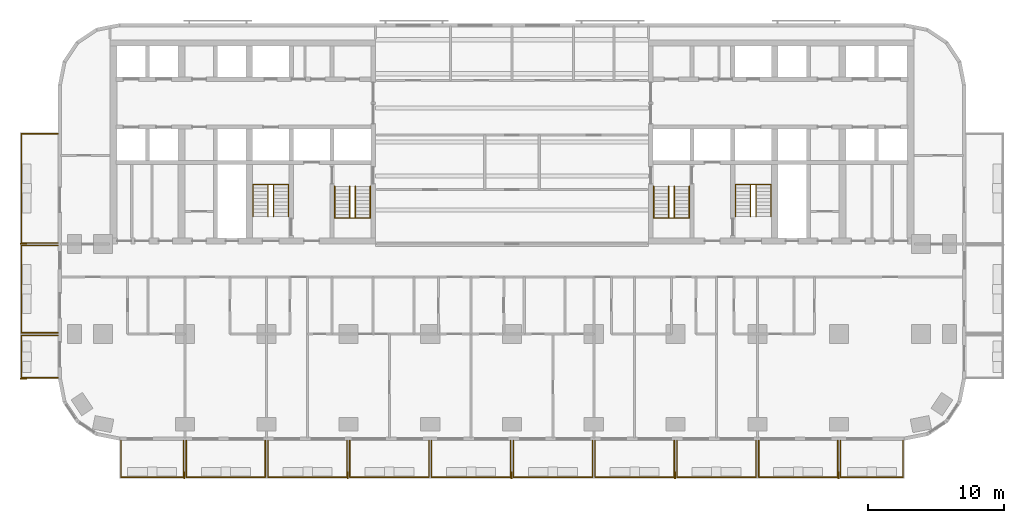
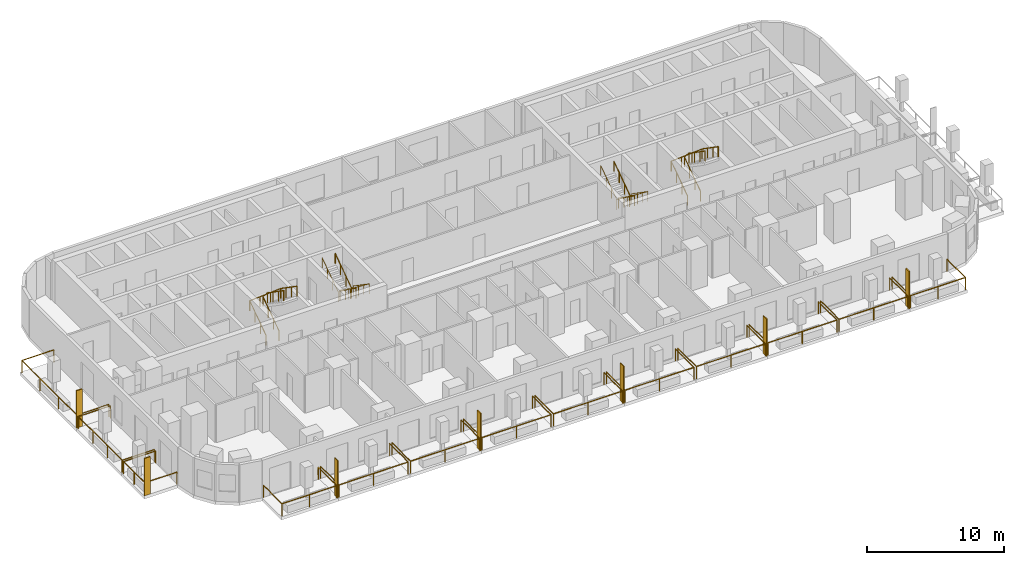
# One storey, part 12 of 14: 21 railings, 7 shading devices.
"""IFC4 building model written with IfcOpenShell, lengths in metres."""

import ifcopenshell
import ifcopenshell.guid

model = None  # the IFC model being written
_history = None  # IfcOwnerHistory: only IFC2X3 demands one
_inside = {}  # id of a spatial element -> (the spatial element, [elements in it])
_under = {}  # id of a project, library or spatial element -> (it, [spatial elements below it])
_declared = {}  # id of a project -> (the project, [libraries it declares])
_typed = {}  # id of a type object -> (the type object, [elements of that type])
_made_of = {}  # id of a material, layer set ... -> (it, [elements and type objects made of it])


def new_model(schema):
    """Start an empty IFC model of exactly this schema.

    Asked for "IFC4X3", IfcOpenShell would pick the latest addendum, in which some entities
    have other attributes; the version numbers below select the first issue.
    IFC2X3 requires an IfcOwnerHistory on every rooted entity: one is made here for all.
    """
    global model, _history
    if schema == "IFC4X3":
        model = ifcopenshell.file(schema_version=(4, 3, 0, 0))
    else:
        model = ifcopenshell.file(schema=schema)
    _inside.clear()
    _under.clear()
    _declared.clear()
    _typed.clear()
    _made_of.clear()
    _history = None
    if model.schema == "IFC2X3":
        org = make("IfcOrganization", Name="unknown")
        user = make(
            "IfcPersonAndOrganization",
            ThePerson=make("IfcPerson", FamilyName="unknown"),
            TheOrganization=org,
        )
        app = make(
            "IfcApplication",
            ApplicationDeveloper=org,
            Version="unknown",
            ApplicationFullName="unknown",
            ApplicationIdentifier="unknown",
        )
        _history = make(
            "IfcOwnerHistory",
            OwningUser=user,
            OwningApplication=app,
            ChangeAction="ADDED",
            CreationDate=0,
        )
    return model


def make(cls, **values):
    """One entity of the class cls with the attributes given. An attribute that is None is left unset."""
    return model.create_entity(
        cls, **{name: value for name, value in values.items() if value is not None}
    )


def rooted(cls, **values):
    """An entity with a GlobalId (a new one), such as an element, a storey or a relation."""
    return make(cls, GlobalId=ifcopenshell.guid.new(), OwnerHistory=_history, **values)


def si_unit(unit_type, name, prefix=None):
    """IfcSIUnit, for example si_unit("LENGTHUNIT", "METRE", prefix="MILLI")."""
    return make("IfcSIUnit", UnitType=unit_type, Prefix=prefix, Name=name)


def assignment(units):
    """IfcUnitAssignment: the units of a project."""
    return None if units is None else make("IfcUnitAssignment", Units=units)


def point(xyz):
    """IfcCartesianPoint."""
    return None if xyz is None else make("IfcCartesianPoint", Coordinates=xyz)


def direction(xyz):
    """IfcDirection."""
    return None if xyz is None else make("IfcDirection", DirectionRatios=xyz)


def frame(location, z_axis=None, x_axis=None):
    """IfcAxis2Placement3D, a coordinate frame: its origin and axes. An axis left out is left unset."""
    return make(
        "IfcAxis2Placement3D",
        Location=point(location),
        Axis=direction(z_axis),
        RefDirection=direction(x_axis),
    )


def frame_2d(location, x_axis=None):
    """IfcAxis2Placement2D, a coordinate frame in the plane: its origin and x axis."""
    return make(
        "IfcAxis2Placement2D", Location=point(location), RefDirection=direction(x_axis)
    )


def origin():
    """The frame at (0, 0, 0) with its axes left unset."""
    return frame((0.0, 0.0, 0.0))


def origin_2d():
    """The frame at (0, 0) in the plane with its x axis left unset."""
    return frame_2d((0.0, 0.0))


def place(relative_to, where):
    """IfcLocalPlacement: puts the frame where relative to a parent placement (None: the world)."""
    return make(
        "IfcLocalPlacement", PlacementRelTo=relative_to, RelativePlacement=where
    )


def context(
    kind, dimensions, precision=None, world=None, true_north=None, identifier=None
):
    """IfcGeometricRepresentationContext, for example the 3D "Model" context."""
    return make(
        "IfcGeometricRepresentationContext",
        ContextIdentifier=identifier,
        ContextType=kind,
        CoordinateSpaceDimension=dimensions,
        Precision=precision,
        WorldCoordinateSystem=world,
        TrueNorth=true_north,
    )


def subcontext(parent, identifier, kind, view, scale=None):
    """IfcGeometricRepresentationSubContext, for example "Body" below "Model"."""
    return make(
        "IfcGeometricRepresentationSubContext",
        ContextIdentifier=identifier,
        ContextType=kind,
        ParentContext=parent,
        TargetScale=scale,
        TargetView=view,
    )


def project(units=None, contexts=None):
    """IfcProject with its units and contexts."""
    return rooted(
        "IfcProject",
        Name="project",
        RepresentationContexts=contexts,
        UnitsInContext=assignment(units),
    )


def spatial(cls, under=None, at=None, **own):
    """A site, building, storey or space (cls), placed at a placement, below another one or the project."""
    s = rooted(cls, ObjectPlacement=at, **own)
    if under is not None:
        _under.setdefault(under.id(), (under, []))[1].append(s)
    return s


def profile(cls, at=None, kind="AREA", **sizes):
    """A parametric profile (cls). Its sizes go by their IFC names, for example OverallWidth=200.0."""
    return make(cls, ProfileType=kind, Position=at, **sizes)


def rectangle(**sizes):
    """IfcRectangleProfileDef."""
    return profile("IfcRectangleProfileDef", **sizes)


def circle(**sizes):
    """IfcCircleProfileDef."""
    return profile("IfcCircleProfileDef", **sizes)


def extrude(swept, where, along, depth):
    """IfcExtrudedAreaSolid: the profile swept, set in the frame where, extruded along a direction by depth."""
    return make(
        "IfcExtrudedAreaSolid",
        SweptArea=swept,
        Position=where,
        ExtrudedDirection=direction(along),
        Depth=depth,
    )


def shape(context_of_items, identifier, shape_type, items):
    """IfcShapeRepresentation: the items that make up one representation, for example the "Body"."""
    return make(
        "IfcShapeRepresentation",
        ContextOfItems=context_of_items,
        RepresentationIdentifier=identifier,
        RepresentationType=shape_type,
        Items=items,
    )


def material(Name=None, Category=None):
    """IfcMaterial."""
    return make("IfcMaterial", Name=Name, Category=Category)


def layer(
    of_material, thickness, ventilated=None, Name=None, Category=None, Priority=None
):
    """IfcMaterialLayer: one layer of a wall or slab, of a material (None: an air gap)."""
    return make(
        "IfcMaterialLayer",
        Material=of_material,
        LayerThickness=thickness,
        IsVentilated=ventilated,
        Name=Name,
        Category=Category,
        Priority=Priority,
    )


def layer_set(layers, Name=None):
    """IfcMaterialLayerSet."""
    return make("IfcMaterialLayerSet", MaterialLayers=layers, LayerSetName=Name)


def made_of(thing, what):
    """Note that an element or type object is made of a material, layer set ...; save() writes the relation."""
    if what is not None:
        _made_of.setdefault(what.id(), (what, []))[1].append(thing)
    return thing


def type_object(cls, material=None, **own):
    """A type object (cls), such as IfcWallType, which elements share."""
    return made_of(rooted(cls, **own), material)


def element(
    cls,
    number,
    at=None,
    inside=None,
    cuts=None,
    type_object=None,
    material=None,
    context=None,
    identifier="Body",
    shape_type=None,
    held_by="IfcProductDefinitionShape",
    body=None,
    shapes=None,
    **own,
):
    """One element of the class cls, such as IfcWall. Its Tag is "e" and its number.

    at: its placement. inside: the storey or other place that contains it. cuts: it is an
    opening in that element (IfcRelVoidsElement). A single representation is given by context,
    identifier, shape_type and body (its items); several are given by shapes. held_by: the class
    of the entity that holds the representations. save() writes the other relations.
    """
    e = rooted(cls, Tag="e%d" % number, ObjectPlacement=at, **own)
    if body is not None:
        shapes = [shape(context, identifier, shape_type, body)]
    if shapes is not None:
        e.Representation = make(held_by, Representations=shapes)
    if inside is not None:
        _inside.setdefault(inside.id(), (inside, []))[1].append(e)
    if cuts is not None:
        rooted(
            "IfcRelVoidsElement", RelatingBuildingElement=cuts, RelatedOpeningElement=e
        )
    if type_object is not None:
        _typed.setdefault(type_object.id(), (type_object, []))[1].append(e)
    return made_of(e, material)


def aggregate(whole, parts):
    """IfcRelAggregates: a whole, such as a stair, and the parts it consists of."""
    return rooted("IfcRelAggregates", RelatingObject=whole, RelatedObjects=parts)


def save(model, path):
    """Write the relations noted so far, then the file.

    IfcRelAggregates (storeys below a building ...), IfcRelContainedInSpatialStructure (elements
    in a storey), IfcRelDefinesByType, IfcRelAssociatesMaterial and IfcRelDeclares: one each for
    every whole, place, type object, material and project.
    """
    for whole, parts in _under.values():
        aggregate(whole, parts)
    for where, things in _inside.values():
        rooted(
            "IfcRelContainedInSpatialStructure",
            RelatedElements=things,
            RelatingStructure=where,
        )
    for kind, things in _typed.values():
        rooted("IfcRelDefinesByType", RelatedObjects=things, RelatingType=kind)
    for what, things in _made_of.values():
        rooted("IfcRelAssociatesMaterial", RelatedObjects=things, RelatingMaterial=what)
    for by, libraries in _declared.values():
        rooted("IfcRelDeclares", RelatingContext=by, RelatedDefinitions=libraries)
    model.write(path)


model = new_model("IFC4")

# Units and contexts
model_context = context("Model", 3, precision=1e-05, world=origin(), true_north=direction((0.0, 1.0)))
body_context = subcontext(model_context, "Body", "Model", "MODEL_VIEW")
ifc_project = project(units=[si_unit("LENGTHUNIT", "METRE"), si_unit("AREAUNIT", "SQUARE_METRE"), si_unit("VOLUMEUNIT", "CUBIC_METRE"), si_unit("PLANEANGLEUNIT", "RADIAN"), si_unit("MASSUNIT", "GRAM", prefix="KILO")], contexts=[model_context])

# Site, building, storey
site_placement = place(None, origin())
site = spatial("IfcSite", under=ifc_project, at=site_placement, CompositionType="ELEMENT")
building_placement = place(site_placement, origin())
building = spatial("IfcBuilding", under=site, at=building_placement, Name="Torana Hotel and Residences", CompositionType="ELEMENT")
storey_placement = place(building_placement, frame((0.0, 0.0, 85.199951171875)))
storey = spatial("IfcBuildingStorey", under=building, at=storey_placement, Name="L21", CompositionType="ELEMENT", Elevation=85.199951171875)

# Shading devices
ifc_material_1 = material(Name="Black powder coated aluminium", Category="aluminium")
ifc_layer = layer(ifc_material_1, 0.080078125)
ifc_layer_set = layer_set([ifc_layer], Name="FN1 VERTICAL FIN 500x80")
shading_device_type = type_object("IfcShadingDeviceType", Name="FN1 VERTICAL FIN 500x80", PredefinedType="USERDEFINED", material=ifc_layer_set)
for number, where, z_axis, x_axis, name in (
    (1, (-24.0400390625, -31.949951171875, 0.0), (0.0, 0.0, 1.0), (-1.0, 0.0, 0.0), "Fin 01"),
    (2, (-12.0400390625, -31.949951171875, 0.0), (0.0, 0.0, 1.0), (-1.0, 0.0, 0.0), "Fin 03"),
    (3, (-0.0400390625, -31.949951171875, 0.0), (0.0, 0.0, 1.0), (-1.0, 0.0, 0.0), "Fin 05"),
    (4, (11.9599609375, -31.949951171875, 0.0), (0.0, 0.0, 1.0), (-1.0, 0.0, 0.0), "Fin 07"),
    (5, (23.9599609375, -31.949951171875, 0.0), (0.0, 0.0, 1.0), (-1.0, 0.0, 0.0), "Fin 09"),
    (6, (-35.85009765625, -24.860107421875, 0.0), (0.0, 0.0, 1.0), (0.0, 1.0, 0.0), "Fin 11"),
    (7, (-35.85009765625, -14.9599609375, 0.0), (0.0, 0.0, 1.0), (0.0, 1.0, 0.0), "Fin 13"),
):
    element("IfcShadingDevice", number, at=place(storey_placement, frame(where, z_axis=z_axis, x_axis=x_axis)), inside=storey, type_object=shading_device_type, Name=name, ObjectType="FIN", PredefinedType="USERDEFINED", context=body_context, shape_type="SweptSolid", body=[
        extrude(rectangle(XDim=0.080078125, YDim=0.5, at=origin_2d()), origin(), (0.0, 0.0, 1.0), 3.320068359375),
    ])

# Railings
ifc_material_2 = material(Name="Laminated glass balustrade with black handrail", Category="glass")
railing_type_1 = type_object("IfcRailingType", Name="GR1 BALCONY GUARD 1100 GLASS", PredefinedType="GUARDRAIL", material=ifc_material_2)
railing_1_placement = place(storey_placement, frame((-24.10009765625, -29.39990234375, 0.0)))
element("IfcRailing", 8, at=railing_1_placement, inside=storey, type_object=railing_type_1, Name="Balcony guard 01", PredefinedType="GUARDRAIL", context=body_context, shape_type="SweptSolid", body=[
    extrude(circle(Radius=0.02392578125, at=origin_2d()), frame((0.0, 0.0, 1.076171875), z_axis=(0.0, -1.0, 0.0), x_axis=(1.0, 0.0, 0.0)), (0.0, 0.0, 1.0), 2.7001953125),
    extrude(circle(Radius=0.02392578125, at=origin_2d()), frame((0.0, -2.7001953125, 1.076171875), z_axis=(-1.0, 0.0, 0.0), x_axis=(0.0, -1.0, 0.0)), (0.0, 0.0, 1.0), 4.599853515625),
    extrude(circle(Radius=0.02392578125, at=origin_2d()), frame((-4.599853515625, -2.7001953125, 1.076171875), z_axis=(0.0, 1.0, 0.0), x_axis=(-1.0, 0.0, 0.0)), (0.0, 0.0, 1.0), 2.7001953125),
    extrude(circle(Radius=0.02099609375, at=origin_2d()), origin(), (0.0, 0.0, 1.0), 1.052001953125),
    extrude(circle(Radius=0.02099609375, at=origin_2d()), frame((0.0, -2.7001953125, 0.0)), (0.0, 0.0, 1.0), 1.052001953125),
    extrude(circle(Radius=0.02099609375, at=origin_2d()), frame((-2.2998046875, -2.7001953125, 0.0)), (0.0, 0.0, 1.0), 1.052001953125),
    extrude(circle(Radius=0.02099609375, at=origin_2d()), frame((-4.599853515625, -2.7001953125, 0.0)), (0.0, 0.0, 1.0), 1.052001953125),
    extrude(circle(Radius=0.02099609375, at=origin_2d()), frame((-4.599853515625, 0.0, 0.0)), (0.0, 0.0, 1.0), 1.052001953125),
])
for number, where, name in (
    (9, (-18.10009765625, -29.39990234375, 0.0), "Balcony guard 02"),
    (10, (-12.10009765625, -29.39990234375, 0.0), "Balcony guard 03"),
    (11, (-6.10009765625, -29.39990234375, 0.0), "Balcony guard 04"),
    (12, (-0.10009765625, -29.39990234375, 0.0), "Balcony guard 05"),
    (13, (5.89990234375, -29.39990234375, 0.0), "Balcony guard 06"),
    (14, (11.89990234375, -29.39990234375, 0.0), "Balcony guard 07"),
    (15, (17.89990234375, -29.39990234375, 0.0), "Balcony guard 08"),
    (16, (23.89990234375, -29.39990234375, 0.0), "Balcony guard 09"),
):
    element("IfcRailing", number, at=place(storey_placement, frame(where)), inside=storey, type_object=railing_type_1, Name=name, PredefinedType="GUARDRAIL", context=body_context, shape_type="SweptSolid", body=[
        extrude(circle(Radius=0.02392578125, at=origin_2d()), frame((0.0, 0.0, 1.076171875), z_axis=(0.0, -1.0, 0.0), x_axis=(1.0, 0.0, 0.0)), (0.0, 0.0, 1.0), 2.7001953125),
        extrude(circle(Radius=0.02392578125, at=origin_2d()), frame((0.0, -2.7001953125, 1.076171875), z_axis=(-1.0, 0.0, 0.0), x_axis=(0.0, -1.0, 0.0)), (0.0, 0.0, 1.0), 5.7998046875),
        extrude(circle(Radius=0.02392578125, at=origin_2d()), frame((-5.7998046875, -2.7001953125, 1.076171875), z_axis=(0.0, 1.0, 0.0), x_axis=(-1.0, 0.0, 0.0)), (0.0, 0.0, 1.0), 2.7001953125),
        extrude(circle(Radius=0.02099609375, at=origin_2d()), origin(), (0.0, 0.0, 1.0), 1.052001953125),
        extrude(circle(Radius=0.02099609375, at=origin_2d()), frame((0.0, -2.7001953125, 0.0)), (0.0, 0.0, 1.0), 1.052001953125),
        extrude(circle(Radius=0.02099609375, at=origin_2d()), frame((-2.89990234375, -2.7001953125, 0.0)), (0.0, 0.0, 1.0), 1.052001953125),
        extrude(circle(Radius=0.02099609375, at=origin_2d()), frame((-5.7998046875, -2.7001953125, 0.0)), (0.0, 0.0, 1.0), 1.052001953125),
        extrude(circle(Radius=0.02099609375, at=origin_2d()), frame((-5.7998046875, 0.0, 0.0)), (0.0, 0.0, 1.0), 1.052001953125),
    ])
railing_2_placement = place(storey_placement, frame((28.699951171875, -29.39990234375, 0.0)))
element("IfcRailing", 17, at=railing_2_placement, inside=storey, type_object=railing_type_1, Name="Balcony guard 10", PredefinedType="GUARDRAIL", context=body_context, shape_type="SweptSolid", body=[
    extrude(circle(Radius=0.02392578125, at=origin_2d()), frame((0.0, 0.0, 1.076171875), z_axis=(0.0, -1.0, 0.0), x_axis=(1.0, 0.0, 0.0)), (0.0, 0.0, 1.0), 2.7001953125),
    extrude(circle(Radius=0.02392578125, at=origin_2d()), frame((0.0, -2.7001953125, 1.076171875), z_axis=(-1.0, 0.0, 0.0), x_axis=(0.0, -1.0, 0.0)), (0.0, 0.0, 1.0), 4.599853515625),
    extrude(circle(Radius=0.02392578125, at=origin_2d()), frame((-4.599853515625, -2.7001953125, 1.076171875), z_axis=(0.0, 1.0, 0.0), x_axis=(-1.0, 0.0, 0.0)), (0.0, 0.0, 1.0), 2.7001953125),
    extrude(circle(Radius=0.02099609375, at=origin_2d()), origin(), (0.0, 0.0, 1.0), 1.052001953125),
    extrude(circle(Radius=0.02099609375, at=origin_2d()), frame((0.0, -2.7001953125, 0.0)), (0.0, 0.0, 1.0), 1.052001953125),
    extrude(circle(Radius=0.02099609375, at=origin_2d()), frame((-2.2998046875, -2.7001953125, 0.0)), (0.0, 0.0, 1.0), 1.052001953125),
    extrude(circle(Radius=0.02099609375, at=origin_2d()), frame((-4.599853515625, -2.7001953125, 0.0)), (0.0, 0.0, 1.0), 1.052001953125),
    extrude(circle(Radius=0.02099609375, at=origin_2d()), frame((-4.599853515625, 0.0, 0.0)), (0.0, 0.0, 1.0), 1.052001953125),
])
railing_3_placement = place(storey_placement, frame((-33.300048828125, -24.800048828125, 0.0)))
element("IfcRailing", 18, at=railing_3_placement, inside=storey, type_object=railing_type_1, Name="Balcony guard 11", PredefinedType="GUARDRAIL", context=body_context, shape_type="SweptSolid", body=[
    extrude(circle(Radius=0.02392578125, at=origin_2d()), frame((0.0, 0.0, 1.076171875), z_axis=(-1.0, 0.0, 0.0), x_axis=(0.0, -1.0, 0.0)), (0.0, 0.0, 1.0), 2.699951171875),
    extrude(circle(Radius=0.02392578125, at=origin_2d()), frame((-2.699951171875, 0.0, 1.076171875), z_axis=(0.0, 1.0, 0.0), x_axis=(-1.0, 0.0, 0.0)), (0.0, 0.0, 1.0), 3.10009765625),
    extrude(circle(Radius=0.02392578125, at=origin_2d()), frame((-2.699951171875, 3.10009765625, 1.076171875), z_axis=(1.0, 0.0, 0.0), x_axis=(0.0, 1.0, 0.0)), (0.0, 0.0, 1.0), 2.699951171875),
    extrude(circle(Radius=0.02099609375, at=origin_2d()), origin(), (0.0, 0.0, 1.0), 1.052001953125),
    extrude(circle(Radius=0.02099609375, at=origin_2d()), frame((-2.699951171875, 0.0, 0.0)), (0.0, 0.0, 1.0), 1.052001953125),
    extrude(circle(Radius=0.02099609375, at=origin_2d()), frame((-2.699951171875, 1.550048828125, 0.0)), (0.0, 0.0, 1.0), 1.052001953125),
    extrude(circle(Radius=0.02099609375, at=origin_2d()), frame((-2.699951171875, 3.10009765625, 0.0)), (0.0, 0.0, 1.0), 1.052001953125),
    extrude(circle(Radius=0.02099609375, at=origin_2d()), frame((0.0, 3.10009765625, 0.0)), (0.0, 0.0, 1.0), 1.052001953125),
])
railing_4_placement = place(storey_placement, frame((-33.300048828125, -21.5, 0.0)))
element("IfcRailing", 19, at=railing_4_placement, inside=storey, type_object=railing_type_1, Name="Balcony guard 12", PredefinedType="GUARDRAIL", context=body_context, shape_type="SweptSolid", body=[
    extrude(circle(Radius=0.02392578125, at=origin_2d()), frame((0.0, 0.0, 1.076171875), z_axis=(-1.0, 0.0, 0.0), x_axis=(0.0, -1.0, 0.0)), (0.0, 0.0, 1.0), 2.699951171875),
    extrude(circle(Radius=0.02392578125, at=origin_2d()), frame((-2.699951171875, 0.0, 1.076171875), z_axis=(0.0, 1.0, 0.0), x_axis=(-1.0, 0.0, 0.0)), (0.0, 0.0, 1.0), 6.39990234375),
    extrude(circle(Radius=0.02392578125, at=origin_2d()), frame((-2.699951171875, 6.39990234375, 1.076171875), z_axis=(1.0, 0.0, 0.0), x_axis=(0.0, 1.0, 0.0)), (0.0, 0.0, 1.0), 2.699951171875),
    extrude(circle(Radius=0.02099609375, at=origin_2d()), origin(), (0.0, 0.0, 1.0), 1.052001953125),
    extrude(circle(Radius=0.02099609375, at=origin_2d()), frame((-2.699951171875, 0.0, 0.0)), (0.0, 0.0, 1.0), 1.052001953125),
    extrude(circle(Radius=0.02099609375, at=origin_2d()), frame((-2.699951171875, 2.13330078125, 0.0)), (0.0, 0.0, 1.0), 1.052001953125),
    extrude(circle(Radius=0.02099609375, at=origin_2d()), frame((-2.699951171875, 4.2666015625, 0.0)), (0.0, 0.0, 1.0), 1.052001953125),
    extrude(circle(Radius=0.02099609375, at=origin_2d()), frame((-2.699951171875, 6.39990234375, 0.0)), (0.0, 0.0, 1.0), 1.052001953125),
    extrude(circle(Radius=0.02099609375, at=origin_2d()), frame((0.0, 6.39990234375, 0.0)), (0.0, 0.0, 1.0), 1.052001953125),
])
railing_5_placement = place(storey_placement, frame((-33.300048828125, -14.89990234375, 0.0)))
element("IfcRailing", 20, at=railing_5_placement, inside=storey, type_object=railing_type_1, Name="Balcony guard 13", PredefinedType="GUARDRAIL", context=body_context, shape_type="SweptSolid", body=[
    extrude(circle(Radius=0.02392578125, at=origin_2d()), frame((0.0, 0.0, 1.076171875), z_axis=(-1.0, 0.0, 0.0), x_axis=(0.0, -1.0, 0.0)), (0.0, 0.0, 1.0), 2.699951171875),
    extrude(circle(Radius=0.02392578125, at=origin_2d()), frame((-2.699951171875, 0.0, 1.076171875), z_axis=(0.0, 1.0, 0.0), x_axis=(-1.0, 0.0, 0.0)), (0.0, 0.0, 1.0), 8.0),
    extrude(circle(Radius=0.02392578125, at=origin_2d()), frame((-2.699951171875, 8.0, 1.076171875), z_axis=(1.0, 0.0, 0.0), x_axis=(0.0, 1.0, 0.0)), (0.0, 0.0, 1.0), 2.699951171875),
    extrude(circle(Radius=0.02099609375, at=origin_2d()), origin(), (0.0, 0.0, 1.0), 1.052001953125),
    extrude(circle(Radius=0.02099609375, at=origin_2d()), frame((-2.699951171875, 0.0, 0.0)), (0.0, 0.0, 1.0), 1.052001953125),
    extrude(circle(Radius=0.02099609375, at=origin_2d()), frame((-2.699951171875, 2.666748046875, 0.0)), (0.0, 0.0, 1.0), 1.052001953125),
    extrude(circle(Radius=0.02099609375, at=origin_2d()), frame((-2.699951171875, 5.333251953125, 0.0)), (0.0, 0.0, 1.0), 1.052001953125),
    extrude(circle(Radius=0.02099609375, at=origin_2d()), frame((-2.699951171875, 8.0, 0.0)), (0.0, 0.0, 1.0), 1.052001953125),
    extrude(circle(Radius=0.02099609375, at=origin_2d()), frame((0.0, 8.0, 0.0)), (0.0, 0.0, 1.0), 1.052001953125),
])
ifc_material_3 = material(Name="Stainless steel 316", Category="steel")
railing_type_2 = type_object("IfcRailingType", Name="STAIR HANDRAIL HR1 900", PredefinedType="HANDRAIL", material=ifc_material_3)
railing_6_placement = place(storey_placement, frame((-10.39990234375, -10.75, 0.179931640625)))
element("IfcRailing", 21, at=railing_6_placement, inside=storey, type_object=railing_type_2, Name="Handrail ST1 L21 O1", PredefinedType="HANDRAIL", context=body_context, shape_type="SweptSolid", body=[
    extrude(circle(Radius=0.02392578125, at=origin_2d()), frame((0.0, 0.0, 0.8759765625), z_axis=(0.0, -0.822182927502, 0.569223360136), x_axis=(1.0, 0.0, 0.0)), (0.0, 0.0, 1.0), 2.84619140625),
    extrude(circle(Radius=0.02392578125, at=origin_2d()), frame((0.0, -2.340087890625, 2.49609375), z_axis=(-0.997614115953, 0.0, 0.069036770278), x_axis=(0.0, -1.0, 0.0)), (0.0, 0.0, 1.0), 2.606201171875),
    extrude(circle(Radius=0.02392578125, at=origin_2d()), frame((-2.60009765625, -2.340087890625, 2.67578125), z_axis=(0.0, 0.822182927502, 0.569223360136), x_axis=(-1.0, 0.0, 0.0)), (0.0, 0.0, 1.0), 2.84619140625),
    extrude(circle(Radius=0.02099609375, at=origin_2d()), origin(), (0.0, 0.0, 1.0), 0.851806640625),
    extrude(circle(Radius=0.02099609375, at=origin_2d()), frame((0.0, -0.780029296875, 0.5400390625)), (0.0, 0.0, 1.0), 0.851806640625),
    extrude(circle(Radius=0.02099609375, at=origin_2d()), frame((0.0, -1.56005859375, 1.080078125)), (0.0, 0.0, 1.0), 0.851806640625),
    extrude(circle(Radius=0.02099609375, at=origin_2d()), frame((0.0, -2.340087890625, 1.6201171875)), (0.0, 0.0, 1.0), 0.851806640625),
    extrude(circle(Radius=0.02099609375, at=origin_2d()), frame((-0.86669921875, -2.340087890625, 1.68017578125)), (0.0, 0.0, 1.0), 0.851806640625),
    extrude(circle(Radius=0.02099609375, at=origin_2d()), frame((-1.7333984375, -2.340087890625, 1.739990234375)), (0.0, 0.0, 1.0), 0.851806640625),
    extrude(circle(Radius=0.02099609375, at=origin_2d()), frame((-2.60009765625, -2.340087890625, 1.800048828125)), (0.0, 0.0, 1.0), 0.851806640625),
    extrude(circle(Radius=0.02099609375, at=origin_2d()), frame((-2.60009765625, -1.56005859375, 2.340087890625)), (0.0, 0.0, 1.0), 0.851806640625),
    extrude(circle(Radius=0.02099609375, at=origin_2d()), frame((-2.60009765625, -0.780029296875, 2.880126953125)), (0.0, 0.0, 1.0), 0.851806640625),
    extrude(circle(Radius=0.02099609375, at=origin_2d()), frame((-2.60009765625, 0.0, 3.420166015625)), (0.0, 0.0, 1.0), 0.851806640625),
])
railing_7_placement = place(storey_placement, frame((-11.5, -10.75, 0.179931640625)))
element("IfcRailing", 22, at=railing_7_placement, inside=storey, type_object=railing_type_2, Name="Handrail ST1 L21 I1", PredefinedType="HANDRAIL", context=body_context, shape_type="SweptSolid", body=[
    extrude(circle(Radius=0.02392578125, at=origin_2d()), frame((0.0, 0.0, 0.8759765625), z_axis=(0.0, -0.822182927502, 0.569223360136), x_axis=(1.0, 0.0, 0.0)), (0.0, 0.0, 1.0), 2.84619140625),
    extrude(circle(Radius=0.02392578125, at=origin_2d()), frame((0.0, -2.340087890625, 2.49609375), z_axis=(-0.911942338396, 0.0, 0.410318378143), x_axis=(0.0, -1.0, 0.0)), (0.0, 0.0, 1.0), 0.4384765625),
    extrude(circle(Radius=0.02392578125, at=origin_2d()), frame((-0.39990234375, -2.340087890625, 2.67578125), z_axis=(0.0, 0.822182927502, 0.569223360136), x_axis=(-1.0, 0.0, 0.0)), (0.0, 0.0, 1.0), 2.84619140625),
    extrude(circle(Radius=0.02099609375, at=origin_2d()), origin(), (0.0, 0.0, 1.0), 0.851806640625),
    extrude(circle(Radius=0.02099609375, at=origin_2d()), frame((0.0, -0.780029296875, 0.5400390625)), (0.0, 0.0, 1.0), 0.851806640625),
    extrude(circle(Radius=0.02099609375, at=origin_2d()), frame((0.0, -1.56005859375, 1.080078125)), (0.0, 0.0, 1.0), 0.851806640625),
    extrude(circle(Radius=0.02099609375, at=origin_2d()), frame((0.0, -2.340087890625, 1.6201171875)), (0.0, 0.0, 1.0), 0.851806640625),
    extrude(circle(Radius=0.02099609375, at=origin_2d()), frame((-0.39990234375, -2.340087890625, 1.800048828125)), (0.0, 0.0, 1.0), 0.851806640625),
    extrude(circle(Radius=0.02099609375, at=origin_2d()), frame((-0.39990234375, -1.56005859375, 2.340087890625)), (0.0, 0.0, 1.0), 0.851806640625),
    extrude(circle(Radius=0.02099609375, at=origin_2d()), frame((-0.39990234375, -0.780029296875, 2.880126953125)), (0.0, 0.0, 1.0), 0.851806640625),
    extrude(circle(Radius=0.02099609375, at=origin_2d()), frame((-0.39990234375, 0.0, 3.420166015625)), (0.0, 0.0, 1.0), 0.851806640625),
])
railing_8_placement = place(storey_placement, frame((-19.0, -12.949951171875, 0.179931640625)))
element("IfcRailing", 23, at=railing_8_placement, inside=storey, type_object=railing_type_2, Name="Handrail ST2 L21 O1", PredefinedType="HANDRAIL", context=body_context, shape_type="SweptSolid", body=[
    extrude(circle(Radius=0.02392578125, at=origin_2d()), frame((0.0, 0.0, 0.8759765625), z_axis=(0.0, 0.822155131156, 0.569263506923), x_axis=(-1.0, 0.0, 0.0)), (0.0, 0.0, 1.0), 2.845947265625),
    extrude(circle(Radius=0.02392578125, at=origin_2d()), frame((0.0, 2.33984375, 2.49609375), z_axis=(0.997614115953, 0.0, 0.069036770278), x_axis=(0.0, 1.0, 0.0)), (0.0, 0.0, 1.0), 2.606201171875),
    extrude(circle(Radius=0.02392578125, at=origin_2d()), frame((2.60009765625, 2.33984375, 2.67578125), z_axis=(0.0, -0.822155131156, 0.569263506923), x_axis=(1.0, 0.0, 0.0)), (0.0, 0.0, 1.0), 2.845947265625),
    extrude(circle(Radius=0.02099609375, at=origin_2d()), origin(), (0.0, 0.0, 1.0), 0.851806640625),
    extrude(circle(Radius=0.02099609375, at=origin_2d()), frame((0.0, 0.780029296875, 0.5400390625)), (0.0, 0.0, 1.0), 0.851806640625),
    extrude(circle(Radius=0.02099609375, at=origin_2d()), frame((0.0, 1.559814453125, 1.080078125)), (0.0, 0.0, 1.0), 0.851806640625),
    extrude(circle(Radius=0.02099609375, at=origin_2d()), frame((0.0, 2.33984375, 1.6201171875)), (0.0, 0.0, 1.0), 0.851806640625),
    extrude(circle(Radius=0.02099609375, at=origin_2d()), frame((0.86669921875, 2.33984375, 1.68017578125)), (0.0, 0.0, 1.0), 0.851806640625),
    extrude(circle(Radius=0.02099609375, at=origin_2d()), frame((1.7333984375, 2.33984375, 1.739990234375)), (0.0, 0.0, 1.0), 0.851806640625),
    extrude(circle(Radius=0.02099609375, at=origin_2d()), frame((2.60009765625, 2.33984375, 1.800048828125)), (0.0, 0.0, 1.0), 0.851806640625),
    extrude(circle(Radius=0.02099609375, at=origin_2d()), frame((2.60009765625, 1.559814453125, 2.340087890625)), (0.0, 0.0, 1.0), 0.851806640625),
    extrude(circle(Radius=0.02099609375, at=origin_2d()), frame((2.60009765625, 0.780029296875, 2.880126953125)), (0.0, 0.0, 1.0), 0.851806640625),
    extrude(circle(Radius=0.02099609375, at=origin_2d()), frame((2.60009765625, 0.0, 3.420166015625)), (0.0, 0.0, 1.0), 0.851806640625),
])
railing_9_placement = place(storey_placement, frame((-17.89990234375, -12.949951171875, 0.179931640625)))
element("IfcRailing", 24, at=railing_9_placement, inside=storey, type_object=railing_type_2, Name="Handrail ST2 L21 I1", PredefinedType="HANDRAIL", context=body_context, shape_type="SweptSolid", body=[
    extrude(circle(Radius=0.02392578125, at=origin_2d()), frame((0.0, 0.0, 0.8759765625), z_axis=(0.0, 0.822155131156, 0.569263506923), x_axis=(-1.0, 0.0, 0.0)), (0.0, 0.0, 1.0), 2.845947265625),
    extrude(circle(Radius=0.02392578125, at=origin_2d()), frame((0.0, 2.33984375, 2.49609375), z_axis=(0.911942338396, 0.0, 0.410318378143), x_axis=(0.0, 1.0, 0.0)), (0.0, 0.0, 1.0), 0.4384765625),
    extrude(circle(Radius=0.02392578125, at=origin_2d()), frame((0.39990234375, 2.33984375, 2.67578125), z_axis=(0.0, -0.822155131156, 0.569263506923), x_axis=(1.0, 0.0, 0.0)), (0.0, 0.0, 1.0), 2.845947265625),
    extrude(circle(Radius=0.02099609375, at=origin_2d()), origin(), (0.0, 0.0, 1.0), 0.851806640625),
    extrude(circle(Radius=0.02099609375, at=origin_2d()), frame((0.0, 0.780029296875, 0.5400390625)), (0.0, 0.0, 1.0), 0.851806640625),
    extrude(circle(Radius=0.02099609375, at=origin_2d()), frame((0.0, 1.559814453125, 1.080078125)), (0.0, 0.0, 1.0), 0.851806640625),
    extrude(circle(Radius=0.02099609375, at=origin_2d()), frame((0.0, 2.33984375, 1.6201171875)), (0.0, 0.0, 1.0), 0.851806640625),
    extrude(circle(Radius=0.02099609375, at=origin_2d()), frame((0.39990234375, 2.33984375, 1.800048828125)), (0.0, 0.0, 1.0), 0.851806640625),
    extrude(circle(Radius=0.02099609375, at=origin_2d()), frame((0.39990234375, 1.559814453125, 2.340087890625)), (0.0, 0.0, 1.0), 0.851806640625),
    extrude(circle(Radius=0.02099609375, at=origin_2d()), frame((0.39990234375, 0.780029296875, 2.880126953125)), (0.0, 0.0, 1.0), 0.851806640625),
    extrude(circle(Radius=0.02099609375, at=origin_2d()), frame((0.39990234375, 0.0, 3.420166015625)), (0.0, 0.0, 1.0), 0.851806640625),
])
railing_10_placement = place(storey_placement, frame((13.0, -10.75, 0.179931640625)))
element("IfcRailing", 25, at=railing_10_placement, inside=storey, type_object=railing_type_2, Name="Handrail ST3 L21 O1", PredefinedType="HANDRAIL", context=body_context, shape_type="SweptSolid", body=[
    extrude(circle(Radius=0.02392578125, at=origin_2d()), frame((0.0, 0.0, 0.8759765625), z_axis=(0.0, -0.822182927502, 0.569223360136), x_axis=(1.0, 0.0, 0.0)), (0.0, 0.0, 1.0), 2.84619140625),
    extrude(circle(Radius=0.02392578125, at=origin_2d()), frame((0.0, -2.340087890625, 2.49609375), z_axis=(-0.997614115953, 0.0, 0.069036770278), x_axis=(0.0, -1.0, 0.0)), (0.0, 0.0, 1.0), 2.606201171875),
    extrude(circle(Radius=0.02392578125, at=origin_2d()), frame((-2.60009765625, -2.340087890625, 2.67578125), z_axis=(0.0, 0.822182927502, 0.569223360136), x_axis=(-1.0, 0.0, 0.0)), (0.0, 0.0, 1.0), 2.84619140625),
    extrude(circle(Radius=0.02099609375, at=origin_2d()), origin(), (0.0, 0.0, 1.0), 0.851806640625),
    extrude(circle(Radius=0.02099609375, at=origin_2d()), frame((0.0, -0.780029296875, 0.5400390625)), (0.0, 0.0, 1.0), 0.851806640625),
    extrude(circle(Radius=0.02099609375, at=origin_2d()), frame((0.0, -1.56005859375, 1.080078125)), (0.0, 0.0, 1.0), 0.851806640625),
    extrude(circle(Radius=0.02099609375, at=origin_2d()), frame((0.0, -2.340087890625, 1.6201171875)), (0.0, 0.0, 1.0), 0.851806640625),
    extrude(circle(Radius=0.02099609375, at=origin_2d()), frame((-0.86669921875, -2.340087890625, 1.68017578125)), (0.0, 0.0, 1.0), 0.851806640625),
    extrude(circle(Radius=0.02099609375, at=origin_2d()), frame((-1.7333984375, -2.340087890625, 1.739990234375)), (0.0, 0.0, 1.0), 0.851806640625),
    extrude(circle(Radius=0.02099609375, at=origin_2d()), frame((-2.60009765625, -2.340087890625, 1.800048828125)), (0.0, 0.0, 1.0), 0.851806640625),
    extrude(circle(Radius=0.02099609375, at=origin_2d()), frame((-2.60009765625, -1.56005859375, 2.340087890625)), (0.0, 0.0, 1.0), 0.851806640625),
    extrude(circle(Radius=0.02099609375, at=origin_2d()), frame((-2.60009765625, -0.780029296875, 2.880126953125)), (0.0, 0.0, 1.0), 0.851806640625),
    extrude(circle(Radius=0.02099609375, at=origin_2d()), frame((-2.60009765625, 0.0, 3.420166015625)), (0.0, 0.0, 1.0), 0.851806640625),
])
railing_11_placement = place(storey_placement, frame((11.89990234375, -10.75, 0.179931640625)))
element("IfcRailing", 26, at=railing_11_placement, inside=storey, type_object=railing_type_2, Name="Handrail ST3 L21 I1", PredefinedType="HANDRAIL", context=body_context, shape_type="SweptSolid", body=[
    extrude(circle(Radius=0.02392578125, at=origin_2d()), frame((0.0, 0.0, 0.8759765625), z_axis=(0.0, -0.822182927502, 0.569223360136), x_axis=(1.0, 0.0, 0.0)), (0.0, 0.0, 1.0), 2.84619140625),
    extrude(circle(Radius=0.02392578125, at=origin_2d()), frame((0.0, -2.340087890625, 2.49609375), z_axis=(-0.911942338396, 0.0, 0.410318378143), x_axis=(0.0, -1.0, 0.0)), (0.0, 0.0, 1.0), 0.4384765625),
    extrude(circle(Radius=0.02392578125, at=origin_2d()), frame((-0.39990234375, -2.340087890625, 2.67578125), z_axis=(0.0, 0.822182927502, 0.569223360136), x_axis=(-1.0, 0.0, 0.0)), (0.0, 0.0, 1.0), 2.84619140625),
    extrude(circle(Radius=0.02099609375, at=origin_2d()), origin(), (0.0, 0.0, 1.0), 0.851806640625),
    extrude(circle(Radius=0.02099609375, at=origin_2d()), frame((0.0, -0.780029296875, 0.5400390625)), (0.0, 0.0, 1.0), 0.851806640625),
    extrude(circle(Radius=0.02099609375, at=origin_2d()), frame((0.0, -1.56005859375, 1.080078125)), (0.0, 0.0, 1.0), 0.851806640625),
    extrude(circle(Radius=0.02099609375, at=origin_2d()), frame((0.0, -2.340087890625, 1.6201171875)), (0.0, 0.0, 1.0), 0.851806640625),
    extrude(circle(Radius=0.02099609375, at=origin_2d()), frame((-0.39990234375, -2.340087890625, 1.800048828125)), (0.0, 0.0, 1.0), 0.851806640625),
    extrude(circle(Radius=0.02099609375, at=origin_2d()), frame((-0.39990234375, -1.56005859375, 2.340087890625)), (0.0, 0.0, 1.0), 0.851806640625),
    extrude(circle(Radius=0.02099609375, at=origin_2d()), frame((-0.39990234375, -0.780029296875, 2.880126953125)), (0.0, 0.0, 1.0), 0.851806640625),
    extrude(circle(Radius=0.02099609375, at=origin_2d()), frame((-0.39990234375, 0.0, 3.420166015625)), (0.0, 0.0, 1.0), 0.851806640625),
])
railing_12_placement = place(storey_placement, frame((16.39990234375, -12.949951171875, 0.179931640625)))
element("IfcRailing", 27, at=railing_12_placement, inside=storey, type_object=railing_type_2, Name="Handrail ST4 L21 O1", PredefinedType="HANDRAIL", context=body_context, shape_type="SweptSolid", body=[
    extrude(circle(Radius=0.02392578125, at=origin_2d()), frame((0.0, 0.0, 0.8759765625), z_axis=(0.0, 0.822155131156, 0.569263506923), x_axis=(-1.0, 0.0, 0.0)), (0.0, 0.0, 1.0), 2.845947265625),
    extrude(circle(Radius=0.02392578125, at=origin_2d()), frame((0.0, 2.33984375, 2.49609375), z_axis=(0.997614115953, 0.0, 0.069036770278), x_axis=(0.0, 1.0, 0.0)), (0.0, 0.0, 1.0), 2.606201171875),
    extrude(circle(Radius=0.02392578125, at=origin_2d()), frame((2.60009765625, 2.33984375, 2.67578125), z_axis=(0.0, -0.822155131156, 0.569263506923), x_axis=(1.0, 0.0, 0.0)), (0.0, 0.0, 1.0), 2.845947265625),
    extrude(circle(Radius=0.02099609375, at=origin_2d()), origin(), (0.0, 0.0, 1.0), 0.851806640625),
    extrude(circle(Radius=0.02099609375, at=origin_2d()), frame((0.0, 0.780029296875, 0.5400390625)), (0.0, 0.0, 1.0), 0.851806640625),
    extrude(circle(Radius=0.02099609375, at=origin_2d()), frame((0.0, 1.559814453125, 1.080078125)), (0.0, 0.0, 1.0), 0.851806640625),
    extrude(circle(Radius=0.02099609375, at=origin_2d()), frame((0.0, 2.33984375, 1.6201171875)), (0.0, 0.0, 1.0), 0.851806640625),
    extrude(circle(Radius=0.02099609375, at=origin_2d()), frame((0.86669921875, 2.33984375, 1.68017578125)), (0.0, 0.0, 1.0), 0.851806640625),
    extrude(circle(Radius=0.02099609375, at=origin_2d()), frame((1.7333984375, 2.33984375, 1.739990234375)), (0.0, 0.0, 1.0), 0.851806640625),
    extrude(circle(Radius=0.02099609375, at=origin_2d()), frame((2.60009765625, 2.33984375, 1.800048828125)), (0.0, 0.0, 1.0), 0.851806640625),
    extrude(circle(Radius=0.02099609375, at=origin_2d()), frame((2.60009765625, 1.559814453125, 2.340087890625)), (0.0, 0.0, 1.0), 0.851806640625),
    extrude(circle(Radius=0.02099609375, at=origin_2d()), frame((2.60009765625, 0.780029296875, 2.880126953125)), (0.0, 0.0, 1.0), 0.851806640625),
    extrude(circle(Radius=0.02099609375, at=origin_2d()), frame((2.60009765625, 0.0, 3.420166015625)), (0.0, 0.0, 1.0), 0.851806640625),
])
railing_13_placement = place(storey_placement, frame((17.5, -12.949951171875, 0.179931640625)))
element("IfcRailing", 28, at=railing_13_placement, inside=storey, type_object=railing_type_2, Name="Handrail ST4 L21 I1", PredefinedType="HANDRAIL", context=body_context, shape_type="SweptSolid", body=[
    extrude(circle(Radius=0.02392578125, at=origin_2d()), frame((0.0, 0.0, 0.8759765625), z_axis=(0.0, 0.822155131156, 0.569263506923), x_axis=(-1.0, 0.0, 0.0)), (0.0, 0.0, 1.0), 2.845947265625),
    extrude(circle(Radius=0.02392578125, at=origin_2d()), frame((0.0, 2.33984375, 2.49609375), z_axis=(0.911942338396, 0.0, 0.410318378143), x_axis=(0.0, 1.0, 0.0)), (0.0, 0.0, 1.0), 0.4384765625),
    extrude(circle(Radius=0.02392578125, at=origin_2d()), frame((0.39990234375, 2.33984375, 2.67578125), z_axis=(0.0, -0.822155131156, 0.569263506923), x_axis=(1.0, 0.0, 0.0)), (0.0, 0.0, 1.0), 2.845947265625),
    extrude(circle(Radius=0.02099609375, at=origin_2d()), origin(), (0.0, 0.0, 1.0), 0.851806640625),
    extrude(circle(Radius=0.02099609375, at=origin_2d()), frame((0.0, 0.780029296875, 0.5400390625)), (0.0, 0.0, 1.0), 0.851806640625),
    extrude(circle(Radius=0.02099609375, at=origin_2d()), frame((0.0, 1.559814453125, 1.080078125)), (0.0, 0.0, 1.0), 0.851806640625),
    extrude(circle(Radius=0.02099609375, at=origin_2d()), frame((0.0, 2.33984375, 1.6201171875)), (0.0, 0.0, 1.0), 0.851806640625),
    extrude(circle(Radius=0.02099609375, at=origin_2d()), frame((0.39990234375, 2.33984375, 1.800048828125)), (0.0, 0.0, 1.0), 0.851806640625),
    extrude(circle(Radius=0.02099609375, at=origin_2d()), frame((0.39990234375, 1.559814453125, 2.340087890625)), (0.0, 0.0, 1.0), 0.851806640625),
    extrude(circle(Radius=0.02099609375, at=origin_2d()), frame((0.39990234375, 0.780029296875, 2.880126953125)), (0.0, 0.0, 1.0), 0.851806640625),
    extrude(circle(Radius=0.02099609375, at=origin_2d()), frame((0.39990234375, 0.0, 3.420166015625)), (0.0, 0.0, 1.0), 0.851806640625),
])

save(model, "model.ifc")
